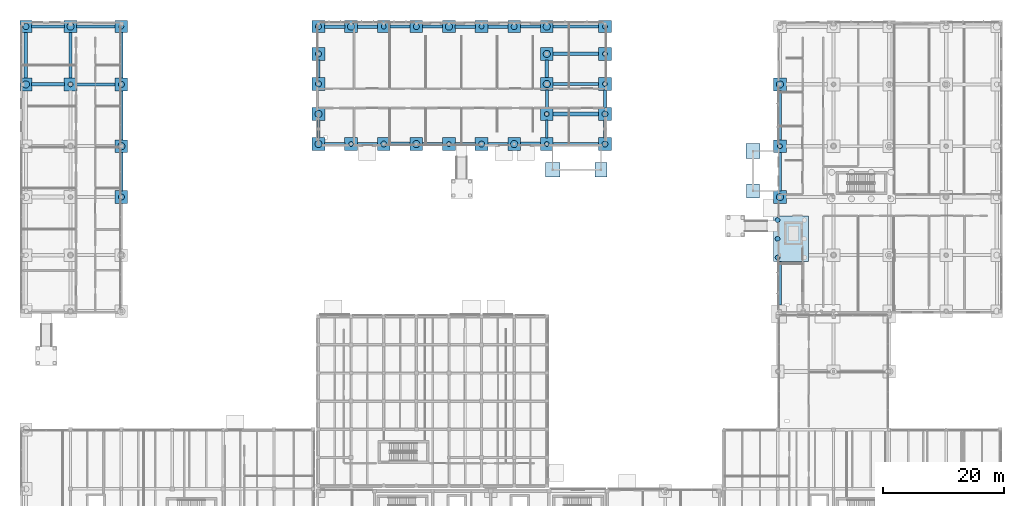
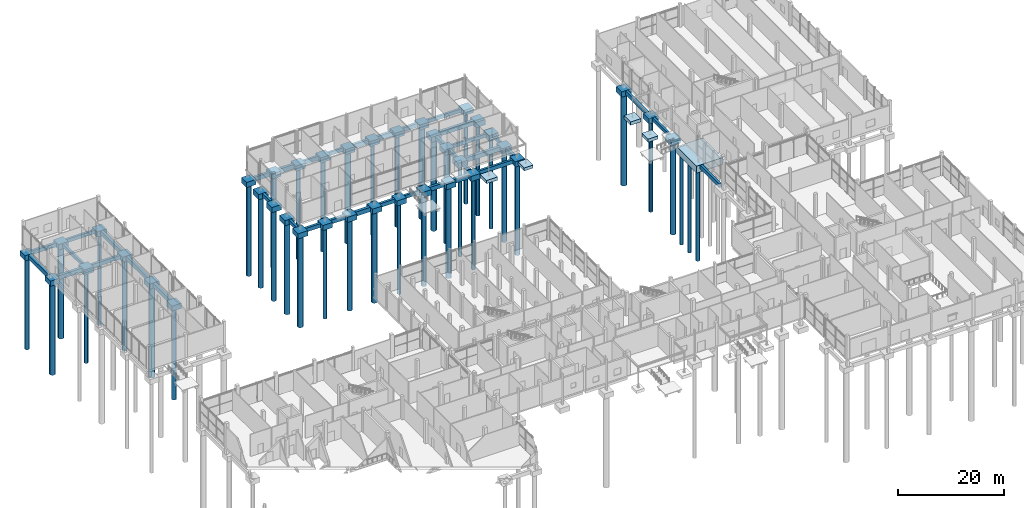
# One storey, part 2 of 88: 81 footings, 41 piles.
"""IFC4 building model written with IfcOpenShell, lengths in metres."""

from ifc_helpers import new_model, si_unit, direction, frame, origin, origin_2d, place, context, subcontext, project, spatial, rectangle, circle, extrude, material, material_profile, profile_set, type_object, element, save


model = new_model("IFC4")

# Units and contexts
model_context = context("Model", 3, precision=1e-05, world=origin(), true_north=direction((0.0, 1.0)))
body_context = subcontext(model_context, "Body", "Model", "MODEL_VIEW")
ifc_project = project(units=[si_unit("LENGTHUNIT", "METRE"), si_unit("AREAUNIT", "SQUARE_METRE"), si_unit("VOLUMEUNIT", "CUBIC_METRE"), si_unit("PLANEANGLEUNIT", "RADIAN"), si_unit("MASSUNIT", "GRAM", prefix="KILO")], contexts=[model_context])

# Site, building, storey
site_placement = place(None, origin())
site = spatial("IfcSite", under=ifc_project, at=site_placement, CompositionType="ELEMENT")
building_placement = place(site_placement, origin())
building = spatial("IfcBuilding", under=site, at=building_placement, Name="Birchvale Park Specialist Clinic", CompositionType="ELEMENT")
storey_placement = place(building_placement, origin())
storey = spatial("IfcBuildingStorey", under=building, at=storey_placement, Name="L00", CompositionType="ELEMENT", Elevation=0.0)

# Footings
ifc_material = material(Name="Concrete C40/50", Category="concrete")
footing_type_1 = type_object("IfcFootingType", Name="FTB-1", PredefinedType="FOOTING_BEAM", material=ifc_material)
footing_1_placement = place(storey_placement, frame((128.35009765625, 68.574951171875, -2.64990234375), z_axis=(0.0, 0.0, 1.0), x_axis=(1.0, 0.0, 0.0)))
element("IfcFooting", 1, at=footing_1_placement, inside=storey, type_object=footing_type_1, Name="L00 foundation tie beam 161", PredefinedType="FOOTING_BEAM", context=body_context, shape_type="SweptSolid", body=[
    extrude(rectangle(XDim=0.5, YDim=7.18994140625, at=origin_2d()), origin(), (0.0, 0.0, 1.0), 0.89990234375),
])
footing_2_placement = place(storey_placement, frame((128.35009765625, 96.300048828125, -2.64990234375), z_axis=(0.0, 0.0, 1.0), x_axis=(1.0, 0.0, 0.0)))
element("IfcFooting", 2, at=footing_2_placement, inside=storey, type_object=footing_type_1, Name="L00 foundation tie beam 205", PredefinedType="FOOTING_BEAM", context=body_context, shape_type="SweptSolid", body=[
    extrude(rectangle(XDim=0.5, YDim=8.139892578125, at=origin_2d()), origin(), (0.0, 0.0, 1.0), 0.89990234375),
])
for number, where, z_axis, x_axis, name in (
    (3, (54.843017578125, 91.550048828125, -2.64990234375), (0.0, 0.0, 1.0), (1.0, 0.0, 0.0), "L00 foundation tie beam 213"),
    (4, (71.0, 91.550048828125, -2.64990234375), (0.0, 0.0, 1.0), (1.0, 0.0, 0.0), "L00 foundation tie beam 217"),
):
    element("IfcFooting", number, at=place(storey_placement, frame(where, z_axis=z_axis, x_axis=x_axis)), inside=storey, type_object=footing_type_1, Name=name, PredefinedType="FOOTING_BEAM", context=body_context, shape_type="SweptSolid", body=[
        extrude(rectangle(XDim=3.325927734375, YDim=0.5, at=origin_2d()), origin(), (0.0, 0.0, 1.0), 0.89990234375),
    ])
footing_3_placement = place(storey_placement, frame((94.64990234375, 91.550048828125, -2.64990234375), z_axis=(0.0, 0.0, 1.0), x_axis=(1.0, 0.0, 0.0)))
element("IfcFooting", 5, at=footing_3_placement, inside=storey, type_object=footing_type_1, Name="L00 foundation tie beam 221", PredefinedType="FOOTING_BEAM", context=body_context, shape_type="SweptSolid", body=[
    extrude(rectangle(XDim=7.5400390625, YDim=0.5, at=origin_2d()), origin(), (0.0, 0.0, 1.0), 0.89990234375),
])
footing_4_placement = place(storey_placement, frame((89.85009765625, 98.993408203125, -2.64990234375), z_axis=(0.0, 0.0, 1.0), x_axis=(1.0, 0.0, 0.0)))
element("IfcFooting", 6, at=footing_4_placement, inside=storey, type_object=footing_type_1, Name="L00 foundation tie beam 225", PredefinedType="FOOTING_BEAM", context=body_context, shape_type="SweptSolid", body=[
    extrude(rectangle(XDim=0.5, YDim=2.903076171875, at=origin_2d()), origin(), (0.0, 0.0, 1.0), 0.89990234375),
])
footing_5_placement = place(storey_placement, frame((15.39990234375, 101.39990234375, -2.64990234375), z_axis=(0.0, 0.0, 1.0), x_axis=(1.0, 0.0, 0.0)))
element("IfcFooting", 7, at=footing_5_placement, inside=storey, type_object=footing_type_1, Name="L00 foundation tie beam 229", PredefinedType="FOOTING_BEAM", context=body_context, shape_type="SweptSolid", body=[
    extrude(rectangle(XDim=6.340087890625, YDim=0.5, at=origin_2d()), origin(), (0.0, 0.0, 1.0), 0.89990234375),
])
footing_6_placement = place(storey_placement, frame((52.14990234375, 103.95654296875, -2.64990234375), z_axis=(0.0, 0.0, 1.0), x_axis=(1.0, 0.0, 0.0)))
element("IfcFooting", 8, at=footing_6_placement, inside=storey, type_object=footing_type_1, Name="L00 foundation tie beam 241", PredefinedType="FOOTING_BEAM", context=body_context, shape_type="SweptSolid", body=[
    extrude(rectangle(XDim=0.5, YDim=2.903076171875, at=origin_2d()), origin(), (0.0, 0.0, 1.0), 0.89990234375),
])
footing_7_placement = place(storey_placement, frame((7.47998046875, 110.945068359375, -2.64990234375), z_axis=(0.0, 0.0, 1.0), x_axis=(1.0, 0.0, 0.0)))
element("IfcFooting", 9, at=footing_7_placement, inside=storey, type_object=footing_type_1, Name="L00 foundation tie beam 245", PredefinedType="FOOTING_BEAM", context=body_context, shape_type="SweptSolid", body=[
    extrude(rectangle(XDim=5.3798828125, YDim=0.5, at=origin_2d()), origin(), (0.0, 0.0, 1.0), 0.89990234375),
])
for number, where, z_axis, x_axis, name in (
    (10, (65.614013671875, 110.945068359375, -2.64990234375), (0.0, 0.0, 1.0), (1.0, 0.0, 0.0), "L00 foundation tie beam 249"),
    (11, (87.156982421875, 110.945068359375, -2.64990234375), (0.0, 0.0, 1.0), (1.0, 0.0, 0.0), "L00 foundation tie beam 253"),
):
    element("IfcFooting", number, at=place(storey_placement, frame(where, z_axis=z_axis, x_axis=x_axis)), inside=storey, type_object=footing_type_1, Name=name, PredefinedType="FOOTING_BEAM", context=body_context, shape_type="SweptSolid", body=[
        extrude(rectangle(XDim=3.325927734375, YDim=0.5, at=origin_2d()), origin(), (0.0, 0.0, 1.0), 0.89990234375),
    ])
footing_type_2 = type_object("IfcFootingType", Name="FTB-2", PredefinedType="FOOTING_BEAM", material=ifc_material)
footing_8_placement = place(storey_placement, frame((128.35009765625, 87.0, -2.5498046875), z_axis=(0.0, 0.0, 1.0), x_axis=(1.0, 0.0, 0.0)))
element("IfcFooting", 12, at=footing_8_placement, inside=storey, type_object=footing_type_2, Name="L00 foundation tie beam 194", PredefinedType="FOOTING_BEAM", context=body_context, shape_type="SweptSolid", body=[
    extrude(rectangle(XDim=0.449951171875, YDim=6.340087890625, at=origin_2d()), origin(), (0.0, 0.0, 1.0), 0.800048828125),
])
footing_9_placement = place(storey_placement, frame((52.14990234375, 94.031494140625, -2.5498046875), z_axis=(0.0, 0.0, 1.0), x_axis=(1.0, 0.0, 0.0)))
element("IfcFooting", 13, at=footing_9_placement, inside=storey, type_object=footing_type_2, Name="L00 foundation tie beam 214", PredefinedType="FOOTING_BEAM", context=body_context, shape_type="SweptSolid", body=[
    extrude(rectangle(XDim=0.449951171875, YDim=2.903076171875, at=origin_2d()), origin(), (0.0, 0.0, 1.0), 0.800048828125),
])
footing_10_placement = place(storey_placement, frame((76.385986328125, 91.550048828125, -2.5498046875), z_axis=(0.0, 0.0, 1.0), x_axis=(1.0, 0.0, 0.0)))
element("IfcFooting", 14, at=footing_10_placement, inside=storey, type_object=footing_type_2, Name="L00 foundation tie beam 218", PredefinedType="FOOTING_BEAM", context=body_context, shape_type="SweptSolid", body=[
    extrude(rectangle(XDim=3.325927734375, YDim=0.449951171875, at=origin_2d()), origin(), (0.0, 0.0, 1.0), 0.800048828125),
])
for number, where, z_axis, x_axis, name in (
    (15, (89.85009765625, 94.031494140625, -2.5498046875), (0.0, 0.0, 1.0), (1.0, 0.0, 0.0), "L00 foundation tie beam 222"),
    (16, (99.449951171875, 98.993408203125, -2.5498046875), (0.0, 0.0, 1.0), (1.0, 0.0, 0.0), "L00 foundation tie beam 226"),
):
    element("IfcFooting", number, at=place(storey_placement, frame(where, z_axis=z_axis, x_axis=x_axis)), inside=storey, type_object=footing_type_2, Name=name, PredefinedType="FOOTING_BEAM", context=body_context, shape_type="SweptSolid", body=[
        extrude(rectangle(XDim=0.449951171875, YDim=2.903076171875, at=origin_2d()), origin(), (0.0, 0.0, 1.0), 0.800048828125),
    ])
footing_11_placement = place(storey_placement, frame((11.199951171875, 106.2099609375, -2.5498046875), z_axis=(0.0, 0.0, 1.0), x_axis=(1.0, 0.0, 0.0)))
element("IfcFooting", 17, at=footing_11_placement, inside=storey, type_object=footing_type_2, Name="L00 foundation tie beam 230", PredefinedType="FOOTING_BEAM", context=body_context, shape_type="SweptSolid", body=[
    extrude(rectangle(XDim=0.449951171875, YDim=7.56005859375, at=origin_2d()), origin(), (0.0, 0.0, 1.0), 0.800048828125),
])
footing_12_placement = place(storey_placement, frame((94.64990234375, 101.47509765625, -2.5498046875), z_axis=(0.0, 0.0, 1.0), x_axis=(1.0, 0.0, 0.0)))
element("IfcFooting", 18, at=footing_12_placement, inside=storey, type_object=footing_type_2, Name="L00 foundation tie beam 242", PredefinedType="FOOTING_BEAM", context=body_context, shape_type="SweptSolid", body=[
    extrude(rectangle(XDim=7.5400390625, YDim=0.449951171875, at=origin_2d()), origin(), (0.0, 0.0, 1.0), 0.800048828125),
])
footing_13_placement = place(storey_placement, frame((15.39990234375, 110.945068359375, -2.5498046875), z_axis=(0.0, 0.0, 1.0), x_axis=(1.0, 0.0, 0.0)))
element("IfcFooting", 19, at=footing_13_placement, inside=storey, type_object=footing_type_2, Name="L00 foundation tie beam 246", PredefinedType="FOOTING_BEAM", context=body_context, shape_type="SweptSolid", body=[
    extrude(rectangle(XDim=6.340087890625, YDim=0.449951171875, at=origin_2d()), origin(), (0.0, 0.0, 1.0), 0.800048828125),
])
footing_14_placement = place(storey_placement, frame((71.0, 110.945068359375, -2.5498046875), z_axis=(0.0, 0.0, 1.0), x_axis=(1.0, 0.0, 0.0)))
element("IfcFooting", 20, at=footing_14_placement, inside=storey, type_object=footing_type_2, Name="L00 foundation tie beam 250", PredefinedType="FOOTING_BEAM", context=body_context, shape_type="SweptSolid", body=[
    extrude(rectangle(XDim=3.325927734375, YDim=0.449951171875, at=origin_2d()), origin(), (0.0, 0.0, 1.0), 0.800048828125),
])
footing_15_placement = place(storey_placement, frame((94.64990234375, 110.945068359375, -2.5498046875), z_axis=(0.0, 0.0, 1.0), x_axis=(1.0, 0.0, 0.0)))
element("IfcFooting", 21, at=footing_15_placement, inside=storey, type_object=footing_type_2, Name="L00 foundation tie beam 254", PredefinedType="FOOTING_BEAM", context=body_context, shape_type="SweptSolid", body=[
    extrude(rectangle(XDim=7.5400390625, YDim=0.449951171875, at=origin_2d()), origin(), (0.0, 0.0, 1.0), 0.800048828125),
])
footing_type_3 = type_object("IfcFootingType", Name="FTB-3", PredefinedType="FOOTING_BEAM", material=ifc_material)
footing_16_placement = place(storey_placement, frame((19.60009765625, 96.300048828125, -2.7001953125), z_axis=(0.0, 0.0, 1.0), x_axis=(1.0, 0.0, 0.0)))
element("IfcFooting", 22, at=footing_16_placement, inside=storey, type_object=footing_type_3, Name="L00 foundation tie beam 203", PredefinedType="FOOTING_BEAM", context=body_context, shape_type="SweptSolid", body=[
    extrude(rectangle(XDim=0.550048828125, YDim=8.139892578125, at=origin_2d()), origin(), (0.0, 0.0, 1.0), 0.949951171875),
])
for number, where, z_axis, x_axis, name in (
    (23, (60.228515625, 91.550048828125, -2.7001953125), (0.0, 0.0, 1.0), (1.0, 0.0, 0.0), "L00 foundation tie beam 215"),
    (24, (81.771484375, 91.550048828125, -2.7001953125), (0.0, 0.0, 1.0), (1.0, 0.0, 0.0), "L00 foundation tie beam 219"),
):
    element("IfcFooting", number, at=place(storey_placement, frame(where, z_axis=z_axis, x_axis=x_axis)), inside=storey, type_object=footing_type_3, Name=name, PredefinedType="FOOTING_BEAM", context=body_context, shape_type="SweptSolid", body=[
        extrude(rectangle(XDim=3.324951171875, YDim=0.550048828125, at=origin_2d()), origin(), (0.0, 0.0, 1.0), 0.949951171875),
    ])
footing_17_placement = place(storey_placement, frame((99.449951171875, 94.031494140625, -2.7001953125), z_axis=(0.0, 0.0, 1.0), x_axis=(1.0, 0.0, 0.0)))
element("IfcFooting", 25, at=footing_17_placement, inside=storey, type_object=footing_type_3, Name="L00 foundation tie beam 223", PredefinedType="FOOTING_BEAM", context=body_context, shape_type="SweptSolid", body=[
    extrude(rectangle(XDim=0.550048828125, YDim=2.903076171875, at=origin_2d()), origin(), (0.0, 0.0, 1.0), 0.949951171875),
])
footing_18_placement = place(storey_placement, frame((7.47998046875, 101.39990234375, -2.7001953125), z_axis=(0.0, 0.0, 1.0), x_axis=(1.0, 0.0, 0.0)))
element("IfcFooting", 26, at=footing_18_placement, inside=storey, type_object=footing_type_3, Name="L00 foundation tie beam 227", PredefinedType="FOOTING_BEAM", context=body_context, shape_type="SweptSolid", body=[
    extrude(rectangle(XDim=5.3798828125, YDim=0.550048828125, at=origin_2d()), origin(), (0.0, 0.0, 1.0), 0.949951171875),
])
footing_19_placement = place(storey_placement, frame((19.60009765625, 106.2099609375, -2.7001953125), z_axis=(0.0, 0.0, 1.0), x_axis=(1.0, 0.0, 0.0)))
element("IfcFooting", 27, at=footing_19_placement, inside=storey, type_object=footing_type_3, Name="L00 foundation tie beam 231", PredefinedType="FOOTING_BEAM", context=body_context, shape_type="SweptSolid", body=[
    extrude(rectangle(XDim=0.550048828125, YDim=7.56005859375, at=origin_2d()), origin(), (0.0, 0.0, 1.0), 0.949951171875),
])
footing_20_placement = place(storey_placement, frame((89.85009765625, 103.95654296875, -2.7001953125), z_axis=(0.0, 0.0, 1.0), x_axis=(1.0, 0.0, 0.0)))
element("IfcFooting", 28, at=footing_20_placement, inside=storey, type_object=footing_type_3, Name="L00 foundation tie beam 243", PredefinedType="FOOTING_BEAM", context=body_context, shape_type="SweptSolid", body=[
    extrude(rectangle(XDim=0.550048828125, YDim=2.903076171875, at=origin_2d()), origin(), (0.0, 0.0, 1.0), 0.949951171875),
])
for number, where, z_axis, x_axis, name in (
    (29, (54.843017578125, 110.945068359375, -2.7001953125), (0.0, 0.0, 1.0), (1.0, 0.0, 0.0), "L00 foundation tie beam 247"),
    (30, (76.385986328125, 110.945068359375, -2.7001953125), (0.0, 0.0, 1.0), (1.0, 0.0, 0.0), "L00 foundation tie beam 251"),
):
    element("IfcFooting", number, at=place(storey_placement, frame(where, z_axis=z_axis, x_axis=x_axis)), inside=storey, type_object=footing_type_3, Name=name, PredefinedType="FOOTING_BEAM", context=body_context, shape_type="SweptSolid", body=[
        extrude(rectangle(XDim=3.325927734375, YDim=0.550048828125, at=origin_2d()), origin(), (0.0, 0.0, 1.0), 0.949951171875),
    ])
footing_type_4 = type_object("IfcFootingType", Name="FTB-4", PredefinedType="FOOTING_BEAM", material=ifc_material)
footing_21_placement = place(storey_placement, frame((19.60009765625, 87.0, -2.75), z_axis=(0.0, 0.0, 1.0), x_axis=(1.0, 0.0, 0.0)))
element("IfcFooting", 31, at=footing_21_placement, inside=storey, type_object=footing_type_4, Name="L00 foundation tie beam 192", PredefinedType="FOOTING_BEAM", context=body_context, shape_type="SweptSolid", body=[
    extrude(rectangle(XDim=0.60009765625, YDim=6.340087890625, at=origin_2d()), origin(), (0.0, 0.0, 1.0), 1.0),
])
for number, where, z_axis, x_axis, name in (
    (32, (65.614013671875, 91.550048828125, -2.75), (0.0, 0.0, 1.0), (1.0, 0.0, 0.0), "L00 foundation tie beam 216"),
    (33, (87.156982421875, 91.550048828125, -2.75), (0.0, 0.0, 1.0), (1.0, 0.0, 0.0), "L00 foundation tie beam 220"),
):
    element("IfcFooting", number, at=place(storey_placement, frame(where, z_axis=z_axis, x_axis=x_axis)), inside=storey, type_object=footing_type_4, Name=name, PredefinedType="FOOTING_BEAM", context=body_context, shape_type="SweptSolid", body=[
        extrude(rectangle(XDim=3.325927734375, YDim=0.60009765625, at=origin_2d()), origin(), (0.0, 0.0, 1.0), 1.0),
    ])
footing_22_placement = place(storey_placement, frame((94.64990234375, 96.512451171875, -2.75), z_axis=(0.0, 0.0, 1.0), x_axis=(1.0, 0.0, 0.0)))
element("IfcFooting", 34, at=footing_22_placement, inside=storey, type_object=footing_type_4, Name="L00 foundation tie beam 224", PredefinedType="FOOTING_BEAM", context=body_context, shape_type="SweptSolid", body=[
    extrude(rectangle(XDim=7.5400390625, YDim=0.60009765625, at=origin_2d()), origin(), (0.0, 0.0, 1.0), 1.0),
])
footing_23_placement = place(storey_placement, frame((3.8349609375, 106.2099609375, -2.75), z_axis=(0.0, 0.0, 1.0), x_axis=(1.0, 0.0, 0.0)))
element("IfcFooting", 35, at=footing_23_placement, inside=storey, type_object=footing_type_4, Name="L00 foundation tie beam 228", PredefinedType="FOOTING_BEAM", context=body_context, shape_type="SweptSolid", body=[
    extrude(rectangle(XDim=0.60009765625, YDim=7.56005859375, at=origin_2d()), origin(), (0.0, 0.0, 1.0), 1.0),
])
footing_24_placement = place(storey_placement, frame((94.64990234375, 106.4375, -2.75), z_axis=(0.0, 0.0, 1.0), x_axis=(1.0, 0.0, 0.0)))
element("IfcFooting", 36, at=footing_24_placement, inside=storey, type_object=footing_type_4, Name="L00 foundation tie beam 244", PredefinedType="FOOTING_BEAM", context=body_context, shape_type="SweptSolid", body=[
    extrude(rectangle(XDim=7.5400390625, YDim=0.60009765625, at=origin_2d()), origin(), (0.0, 0.0, 1.0), 1.0),
])
for number, where, z_axis, x_axis, name in (
    (37, (60.228515625, 110.945068359375, -2.75), (0.0, 0.0, 1.0), (1.0, 0.0, 0.0), "L00 foundation tie beam 248"),
    (38, (81.771484375, 110.945068359375, -2.75), (0.0, 0.0, 1.0), (1.0, 0.0, 0.0), "L00 foundation tie beam 252"),
):
    element("IfcFooting", number, at=place(storey_placement, frame(where, z_axis=z_axis, x_axis=x_axis)), inside=storey, type_object=footing_type_4, Name=name, PredefinedType="FOOTING_BEAM", context=body_context, shape_type="SweptSolid", body=[
        extrude(rectangle(XDim=3.324951171875, YDim=0.60009765625, at=origin_2d()), origin(), (0.0, 0.0, 1.0), 1.0),
    ])
footing_type_5 = type_object("IfcFootingType", Name="FTG-PC-17", PredefinedType="PILE_CAP", material=ifc_material)
footing_25_placement = place(storey_placement, frame((3.8349609375, 110.945068359375, -2.9501953125), z_axis=(0.0, 0.0, 1.0), x_axis=(1.0, 0.0, 0.0)))
element("IfcFooting", 39, at=footing_25_placement, inside=storey, type_object=footing_type_5, Name="L00 pile cap 219", PredefinedType="PILE_CAP", context=body_context, shape_type="SweptSolid", body=[
    extrude(rectangle(XDim=1.949951171875, YDim=1.949951171875, at=origin_2d()), origin(), (0.0, 0.0, 1.0), 1.199951171875),
])
footing_type_6 = type_object("IfcFootingType", Name="FTG-PC-18", PredefinedType="PILE_CAP", material=ifc_material)
for number, where, z_axis, x_axis, name in (
    (40, (11.199951171875, 110.945068359375, -2.9501953125), (0.0, 0.0, 1.0), (1.0, 0.0, 0.0), "L00 pile cap 220"),
    (41, (19.60009765625, 110.945068359375, -2.9501953125), (0.0, 0.0, 1.0), (1.0, 0.0, 0.0), "L00 pile cap 221"),
    (42, (52.14990234375, 110.945068359375, -2.9501953125), (0.0, 0.0, 1.0), (1.0, 0.0, 0.0), "L00 pile cap 222"),
    (43, (57.535888671875, 110.945068359375, -2.9501953125), (0.0, 0.0, 1.0), (1.0, 0.0, 0.0), "L00 pile cap 223"),
    (44, (62.9208984375, 110.945068359375, -2.9501953125), (0.0, 0.0, 1.0), (1.0, 0.0, 0.0), "L00 pile cap 224"),
    (45, (68.306884765625, 110.945068359375, -2.9501953125), (0.0, 0.0, 1.0), (1.0, 0.0, 0.0), "L00 pile cap 225"),
    (46, (73.693115234375, 110.945068359375, -2.9501953125), (0.0, 0.0, 1.0), (1.0, 0.0, 0.0), "L00 pile cap 226"),
    (47, (79.0791015625, 110.945068359375, -2.9501953125), (0.0, 0.0, 1.0), (1.0, 0.0, 0.0), "L00 pile cap 227"),
    (48, (84.464111328125, 110.945068359375, -2.9501953125), (0.0, 0.0, 1.0), (1.0, 0.0, 0.0), "L00 pile cap 228"),
    (49, (89.85009765625, 110.945068359375, -2.9501953125), (0.0, 0.0, 1.0), (1.0, 0.0, 0.0), "L00 pile cap 229"),
    (50, (99.449951171875, 110.945068359375, -2.9501953125), (0.0, 0.0, 1.0), (1.0, 0.0, 0.0), "L00 pile cap 230"),
):
    element("IfcFooting", number, at=place(storey_placement, frame(where, z_axis=z_axis, x_axis=x_axis)), inside=storey, type_object=footing_type_6, Name=name, PredefinedType="PILE_CAP", context=body_context, shape_type="SweptSolid", body=[
        extrude(rectangle(XDim=2.10009765625, YDim=1.949951171875, at=origin_2d()), origin(), (0.0, 0.0, 1.0), 1.199951171875),
    ])
footing_type_7 = type_object("IfcFootingType", Name="FTG-PC-19", PredefinedType="PILE_CAP", material=ifc_material)
footing_26_placement = place(storey_placement, frame((3.8349609375, 101.39990234375, -2.9501953125), z_axis=(0.0, 0.0, 1.0), x_axis=(1.0, 0.0, 0.0)))
element("IfcFooting", 51, at=footing_26_placement, inside=storey, type_object=footing_type_7, Name="L00 pile cap 205", PredefinedType="PILE_CAP", context=body_context, shape_type="SweptSolid", body=[
    extrude(rectangle(XDim=1.949951171875, YDim=2.10009765625, at=origin_2d()), origin(), (0.0, 0.0, 1.0), 1.199951171875),
])
footing_type_8 = type_object("IfcFootingType", Name="FTG-PC-20", PredefinedType="PILE_CAP", material=ifc_material)
for number, where, z_axis, x_axis, name in (
    (52, (19.60009765625, 82.800048828125, -2.9501953125), (0.0, 0.0, 1.0), (1.0, 0.0, 0.0), "L00 pile cap 180"),
    (53, (128.35009765625, 82.800048828125, -2.9501953125), (0.0, 0.0, 1.0), (1.0, 0.0, 0.0), "L00 pile cap 181"),
    (54, (19.60009765625, 91.199951171875, -2.9501953125), (0.0, 0.0, 1.0), (1.0, 0.0, 0.0), "L00 pile cap 187"),
    (55, (128.35009765625, 91.199951171875, -2.9501953125), (0.0, 0.0, 1.0), (1.0, 0.0, 0.0), "L00 pile cap 188"),
    (56, (52.14990234375, 91.550048828125, -2.9501953125), (0.0, 0.0, 1.0), (1.0, 0.0, 0.0), "L00 pile cap 193"),
    (57, (57.535888671875, 91.550048828125, -2.9501953125), (0.0, 0.0, 1.0), (1.0, 0.0, 0.0), "L00 pile cap 194"),
    (58, (62.9208984375, 91.550048828125, -2.9501953125), (0.0, 0.0, 1.0), (1.0, 0.0, 0.0), "L00 pile cap 195"),
    (59, (68.306884765625, 91.550048828125, -2.9501953125), (0.0, 0.0, 1.0), (1.0, 0.0, 0.0), "L00 pile cap 196"),
    (60, (73.693115234375, 91.550048828125, -2.9501953125), (0.0, 0.0, 1.0), (1.0, 0.0, 0.0), "L00 pile cap 197"),
    (61, (79.0791015625, 91.550048828125, -2.9501953125), (0.0, 0.0, 1.0), (1.0, 0.0, 0.0), "L00 pile cap 198"),
    (62, (84.464111328125, 91.550048828125, -2.9501953125), (0.0, 0.0, 1.0), (1.0, 0.0, 0.0), "L00 pile cap 199"),
    (63, (89.85009765625, 91.550048828125, -2.9501953125), (0.0, 0.0, 1.0), (1.0, 0.0, 0.0), "L00 pile cap 200"),
    (64, (99.449951171875, 91.550048828125, -2.9501953125), (0.0, 0.0, 1.0), (1.0, 0.0, 0.0), "L00 pile cap 201"),
    (65, (11.199951171875, 101.39990234375, -2.9501953125), (0.0, 0.0, 1.0), (1.0, 0.0, 0.0), "L00 pile cap 206"),
    (66, (19.60009765625, 101.39990234375, -2.9501953125), (0.0, 0.0, 1.0), (1.0, 0.0, 0.0), "L00 pile cap 207"),
    (67, (128.35009765625, 101.39990234375, -2.9501953125), (0.0, 0.0, 1.0), (1.0, 0.0, 0.0), "L00 pile cap 208"),
    (68, (52.14990234375, 101.47509765625, -2.9501953125), (0.0, 0.0, 1.0), (1.0, 0.0, 0.0), "L00 pile cap 213"),
    (69, (89.85009765625, 101.47509765625, -2.9501953125), (0.0, 0.0, 1.0), (1.0, 0.0, 0.0), "L00 pile cap 214"),
    (70, (99.449951171875, 101.47509765625, -2.9501953125), (0.0, 0.0, 1.0), (1.0, 0.0, 0.0), "L00 pile cap 215"),
):
    element("IfcFooting", number, at=place(storey_placement, frame(where, z_axis=z_axis, x_axis=x_axis)), inside=storey, type_object=footing_type_8, Name=name, PredefinedType="PILE_CAP", context=body_context, shape_type="SweptSolid", body=[
        extrude(rectangle(XDim=2.10009765625, YDim=2.10009765625, at=origin_2d()), origin(), (0.0, 0.0, 1.0), 1.199951171875),
    ])
footing_type_9 = type_object("IfcFootingType", Name="FTG-PC-25", PredefinedType="PILE_CAP", material=ifc_material)
footing_27_placement = place(storey_placement, frame((130.175048828125, 75.89990234375, -3.35009765625), z_axis=(0.0, 0.0, 1.0), x_axis=(1.0, 0.0, 0.0)))
element("IfcFooting", 71, at=footing_27_placement, inside=storey, type_object=footing_type_9, Name="L00 pile cap 173", PredefinedType="PILE_CAP", context=body_context, shape_type="SweptSolid", body=[
    extrude(rectangle(XDim=5.75, YDim=7.5, at=origin_2d()), origin(), (0.0, 0.0, 1.0), 1.60009765625),
])
footing_type_10 = type_object("IfcFootingType", Name="FTG-PC-27", PredefinedType="PILE_CAP", material=ifc_material)
for number, where, z_axis, x_axis, name in (
    (72, (52.14990234375, 96.512451171875, -2.9501953125), (0.0, 0.0, 1.0), (1.0, 0.0, 0.0), "L00 pile cap 202"),
    (73, (89.85009765625, 96.512451171875, -2.9501953125), (0.0, 0.0, 1.0), (1.0, 0.0, 0.0), "L00 pile cap 203"),
    (74, (99.449951171875, 96.512451171875, -2.9501953125), (0.0, 0.0, 1.0), (1.0, 0.0, 0.0), "L00 pile cap 204"),
    (75, (52.14990234375, 106.4375, -2.9501953125), (0.0, 0.0, 1.0), (1.0, 0.0, 0.0), "L00 pile cap 216"),
    (76, (89.85009765625, 106.4375, -2.9501953125), (0.0, 0.0, 1.0), (1.0, 0.0, 0.0), "L00 pile cap 217"),
    (77, (99.449951171875, 106.4375, -2.9501953125), (0.0, 0.0, 1.0), (1.0, 0.0, 0.0), "L00 pile cap 218"),
):
    element("IfcFooting", number, at=place(storey_placement, frame(where, z_axis=z_axis, x_axis=x_axis)), inside=storey, type_object=footing_type_10, Name=name, PredefinedType="PILE_CAP", context=body_context, shape_type="SweptSolid", body=[
        extrude(rectangle(XDim=2.10009765625, YDim=2.09912109375, at=origin_2d()), origin(), (0.0, 0.0, 1.0), 1.199951171875),
    ])
footing_type_11 = type_object("IfcFootingType", Name="PF-3", PredefinedType="PAD_FOOTING", material=ifc_material)
footing_28_placement = place(storey_placement, frame((90.800048828125, 87.300048828125, -1.050048828125), z_axis=(0.0, 0.0, 1.0), x_axis=(1.0, 0.0, 0.0)))
element("IfcFooting", 78, at=footing_28_placement, inside=storey, type_object=footing_type_11, Name="L00 canopy pad footing 3", PredefinedType="PAD_FOOTING", context=body_context, shape_type="SweptSolid", body=[
    extrude(rectangle(XDim=2.39990234375, YDim=2.39990234375, at=origin_2d()), origin(), (0.0, 0.0, 1.0), 0.75),
])
footing_type_12 = type_object("IfcFootingType", Name="PF-4", PredefinedType="PAD_FOOTING", material=ifc_material)
footing_29_placement = place(storey_placement, frame((98.800048828125, 87.300048828125, -1.0), z_axis=(0.0, 0.0, 1.0), x_axis=(1.0, 0.0, 0.0)))
element("IfcFooting", 79, at=footing_29_placement, inside=storey, type_object=footing_type_12, Name="L00 canopy pad footing 4", PredefinedType="PAD_FOOTING", context=body_context, shape_type="SweptSolid", body=[
    extrude(rectangle(XDim=1.949951171875, YDim=2.35009765625, at=origin_2d()), origin(), (0.0, 0.0, 1.0), 0.699951171875),
])
footing_type_13 = type_object("IfcFootingType", Name="PF-7", PredefinedType="PAD_FOOTING", material=ifc_material)
footing_30_placement = place(storey_placement, frame((123.89990234375, 83.800048828125, -1.0400390625), z_axis=(0.0, 0.0, 1.0), x_axis=(1.0, 0.0, 0.0)))
element("IfcFooting", 80, at=footing_30_placement, inside=storey, type_object=footing_type_13, Name="L00 canopy pad footing 7", PredefinedType="PAD_FOOTING", context=body_context, shape_type="SweptSolid", body=[
    extrude(rectangle(XDim=2.14990234375, YDim=2.300048828125, at=origin_2d()), origin(), (0.0, 0.0, 1.0), 0.739990234375),
])
footing_type_14 = type_object("IfcFootingType", Name="PF-8", PredefinedType="PAD_FOOTING", material=ifc_material)
footing_31_placement = place(storey_placement, frame((123.89990234375, 90.39990234375, -1.080078125), z_axis=(0.0, 0.0, 1.0), x_axis=(1.0, 0.0, 0.0)))
element("IfcFooting", 81, at=footing_31_placement, inside=storey, type_object=footing_type_14, Name="L00 canopy pad footing 8", PredefinedType="PAD_FOOTING", context=body_context, shape_type="SweptSolid", body=[
    extrude(rectangle(XDim=2.25, YDim=2.449951171875, at=origin_2d()), origin(), (0.0, 0.0, 1.0), 0.780029296875),
])

# Piles
ifc_material_profile_1 = material_profile(ifc_material, circle(Radius=0.39990234375, at=origin_2d()), Name="PILE-800")
ifc_profile_set_1 = profile_set([ifc_material_profile_1], Name="Concrete C40/50")
pile_type_1 = type_object("IfcPileType", Name="PILE-P1", PredefinedType="BORED", material=ifc_profile_set_1)
for number, where, z_axis, x_axis, name in (
    (82, (127.9599609375, 72.81005859375, -3.25), (0.0, 0.0, -1.0), (1.0, 0.0, 0.0), "L00 bored pile 228 (P1)"),
    (83, (127.9599609375, 75.89990234375, -3.25), (0.0, 0.0, -1.0), (1.0, 0.0, 0.0), "L00 bored pile 229 (P1)"),
    (84, (127.9599609375, 78.989990234375, -3.25), (0.0, 0.0, -1.0), (1.0, 0.0, 0.0), "L00 bored pile 230 (P1)"),
):
    element("IfcPile", number, at=place(storey_placement, frame(where, z_axis=z_axis, x_axis=x_axis)), inside=storey, type_object=pile_type_1, Name=name, PredefinedType="BORED", context=body_context, shape_type="SweptSolid", body=[
        extrude(circle(Radius=0.39990234375, at=origin_2d()), origin(), (0.0, 0.0, 1.0), 20.75),
    ])
for number, where, z_axis, x_axis, name in (
    (85, (128.35009765625, 91.199951171875, -2.85009765625), (0.0, 0.0, -1.0), (1.0, 0.0, 0.0), "L00 bored pile 255 (P1)"),
    (86, (57.535888671875, 91.550048828125, -2.85009765625), (0.0, 0.0, -1.0), (1.0, 0.0, 0.0), "L00 bored pile 261 (P1)"),
    (87, (73.693115234375, 91.550048828125, -2.85009765625), (0.0, 0.0, -1.0), (1.0, 0.0, 0.0), "L00 bored pile 264 (P1)"),
    (88, (89.85009765625, 91.550048828125, -2.85009765625), (0.0, 0.0, -1.0), (1.0, 0.0, 0.0), "L00 bored pile 267 (P1)"),
    (89, (89.85009765625, 96.512451171875, -2.85009765625), (0.0, 0.0, -1.0), (1.0, 0.0, 0.0), "L00 bored pile 270 (P1)"),
    (90, (11.199951171875, 101.39990234375, -2.85009765625), (0.0, 0.0, -1.0), (1.0, 0.0, 0.0), "L00 bored pile 273 (P1)"),
    (91, (99.449951171875, 101.47509765625, -2.85009765625), (0.0, 0.0, -1.0), (1.0, 0.0, 0.0), "L00 bored pile 282 (P1)"),
    (92, (99.449951171875, 106.4375, -2.85009765625), (0.0, 0.0, -1.0), (1.0, 0.0, 0.0), "L00 bored pile 285 (P1)"),
    (93, (19.60009765625, 110.945068359375, -2.85009765625), (0.0, 0.0, -1.0), (1.0, 0.0, 0.0), "L00 bored pile 288 (P1)"),
    (94, (62.9208984375, 110.945068359375, -2.85009765625), (0.0, 0.0, -1.0), (1.0, 0.0, 0.0), "L00 bored pile 291 (P1)"),
    (95, (79.0791015625, 110.945068359375, -2.85009765625), (0.0, 0.0, -1.0), (1.0, 0.0, 0.0), "L00 bored pile 294 (P1)"),
    (96, (99.449951171875, 110.945068359375, -2.85009765625), (0.0, 0.0, -1.0), (1.0, 0.0, 0.0), "L00 bored pile 297 (P1)"),
):
    element("IfcPile", number, at=place(storey_placement, frame(where, z_axis=z_axis, x_axis=x_axis)), inside=storey, type_object=pile_type_1, Name=name, PredefinedType="BORED", context=body_context, shape_type="SweptSolid", body=[
        extrude(circle(Radius=0.39990234375, at=origin_2d()), origin(), (0.0, 0.0, 1.0), 21.14990234375),
    ])
ifc_material_profile_2 = material_profile(ifc_material, circle(Radius=0.5, at=origin_2d()), Name="PILE-1000")
ifc_profile_set_2 = profile_set([ifc_material_profile_2], Name="Concrete C40/50")
pile_type_2 = type_object("IfcPileType", Name="PILE-P2", PredefinedType="BORED", material=ifc_profile_set_2)
for number, where, z_axis, x_axis, name in (
    (97, (19.60009765625, 82.800048828125, -2.85009765625), (0.0, 0.0, -1.0), (1.0, 0.0, 0.0), "L00 bored pile 240 (P2)"),
    (98, (62.9208984375, 91.550048828125, -2.85009765625), (0.0, 0.0, -1.0), (1.0, 0.0, 0.0), "L00 bored pile 262 (P2)"),
    (99, (79.0791015625, 91.550048828125, -2.85009765625), (0.0, 0.0, -1.0), (1.0, 0.0, 0.0), "L00 bored pile 265 (P2)"),
    (100, (99.449951171875, 91.550048828125, -2.85009765625), (0.0, 0.0, -1.0), (1.0, 0.0, 0.0), "L00 bored pile 268 (P2)"),
    (101, (99.449951171875, 96.512451171875, -2.85009765625), (0.0, 0.0, -1.0), (1.0, 0.0, 0.0), "L00 bored pile 271 (P2)"),
    (102, (19.60009765625, 101.39990234375, -2.85009765625), (0.0, 0.0, -1.0), (1.0, 0.0, 0.0), "L00 bored pile 274 (P2)"),
    (103, (52.14990234375, 101.47509765625, -2.85009765625), (0.0, 0.0, -1.0), (1.0, 0.0, 0.0), "L00 bored pile 280 (P2)"),
    (104, (52.14990234375, 106.4375, -2.85009765625), (0.0, 0.0, -1.0), (1.0, 0.0, 0.0), "L00 bored pile 283 (P2)"),
    (105, (3.8349609375, 110.945068359375, -2.85009765625), (0.0, 0.0, -1.0), (1.0, 0.0, 0.0), "L00 bored pile 286 (P2)"),
    (106, (52.14990234375, 110.945068359375, -2.85009765625), (0.0, 0.0, -1.0), (1.0, 0.0, 0.0), "L00 bored pile 289 (P2)"),
    (107, (68.306884765625, 110.945068359375, -2.85009765625), (0.0, 0.0, -1.0), (1.0, 0.0, 0.0), "L00 bored pile 292 (P2)"),
    (108, (84.464111328125, 110.945068359375, -2.85009765625), (0.0, 0.0, -1.0), (1.0, 0.0, 0.0), "L00 bored pile 295 (P2)"),
):
    element("IfcPile", number, at=place(storey_placement, frame(where, z_axis=z_axis, x_axis=x_axis)), inside=storey, type_object=pile_type_2, Name=name, PredefinedType="BORED", context=body_context, shape_type="SweptSolid", body=[
        extrude(circle(Radius=0.5, at=origin_2d()), origin(), (0.0, 0.0, 1.0), 21.14990234375),
    ])
ifc_material_profile_3 = material_profile(ifc_material, circle(Radius=0.60009765625, at=origin_2d()), Name="PILE-1200")
ifc_profile_set_3 = profile_set([ifc_material_profile_3], Name="Concrete C40/50")
pile_type_3 = type_object("IfcPileType", Name="PILE-P3", PredefinedType="BORED", material=ifc_profile_set_3)
for number, where, z_axis, x_axis, name in (
    (109, (128.35009765625, 82.800048828125, -2.85009765625), (0.0, 0.0, -1.0), (1.0, 0.0, 0.0), "L00 bored pile 241 (P3)"),
    (110, (19.60009765625, 91.199951171875, -2.85009765625), (0.0, 0.0, -1.0), (1.0, 0.0, 0.0), "L00 bored pile 254 (P3)"),
    (111, (52.14990234375, 91.550048828125, -2.85009765625), (0.0, 0.0, -1.0), (1.0, 0.0, 0.0), "L00 bored pile 260 (P3)"),
    (112, (68.306884765625, 91.550048828125, -2.85009765625), (0.0, 0.0, -1.0), (1.0, 0.0, 0.0), "L00 bored pile 263 (P3)"),
    (113, (84.464111328125, 91.550048828125, -2.85009765625), (0.0, 0.0, -1.0), (1.0, 0.0, 0.0), "L00 bored pile 266 (P3)"),
    (114, (52.14990234375, 96.512451171875, -2.85009765625), (0.0, 0.0, -1.0), (1.0, 0.0, 0.0), "L00 bored pile 269 (P3)"),
    (115, (3.8349609375, 101.39990234375, -2.85009765625), (0.0, 0.0, -1.0), (1.0, 0.0, 0.0), "L00 bored pile 272 (P3)"),
    (116, (128.35009765625, 101.39990234375, -2.85009765625), (0.0, 0.0, -1.0), (1.0, 0.0, 0.0), "L00 bored pile 275 (P3)"),
    (117, (89.85009765625, 101.47509765625, -2.85009765625), (0.0, 0.0, -1.0), (1.0, 0.0, 0.0), "L00 bored pile 281 (P3)"),
    (118, (89.85009765625, 106.4375, -2.85009765625), (0.0, 0.0, -1.0), (1.0, 0.0, 0.0), "L00 bored pile 284 (P3)"),
    (119, (11.199951171875, 110.945068359375, -2.85009765625), (0.0, 0.0, -1.0), (1.0, 0.0, 0.0), "L00 bored pile 287 (P3)"),
    (120, (57.535888671875, 110.945068359375, -2.85009765625), (0.0, 0.0, -1.0), (1.0, 0.0, 0.0), "L00 bored pile 290 (P3)"),
    (121, (73.693115234375, 110.945068359375, -2.85009765625), (0.0, 0.0, -1.0), (1.0, 0.0, 0.0), "L00 bored pile 293 (P3)"),
    (122, (89.85009765625, 110.945068359375, -2.85009765625), (0.0, 0.0, -1.0), (1.0, 0.0, 0.0), "L00 bored pile 296 (P3)"),
):
    element("IfcPile", number, at=place(storey_placement, frame(where, z_axis=z_axis, x_axis=x_axis)), inside=storey, type_object=pile_type_3, Name=name, PredefinedType="BORED", context=body_context, shape_type="SweptSolid", body=[
        extrude(circle(Radius=0.60009765625, at=origin_2d()), origin(), (0.0, 0.0, 1.0), 21.14990234375),
    ])

save(model, "model.ifc")
